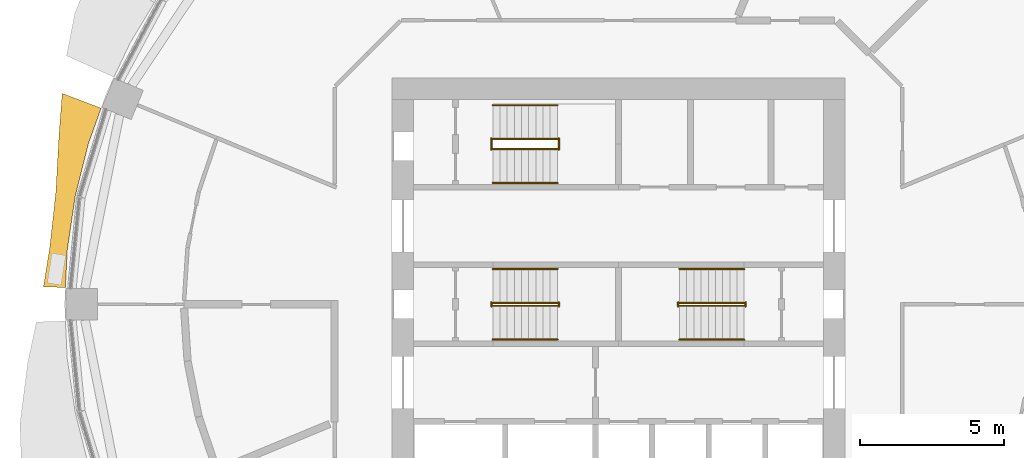
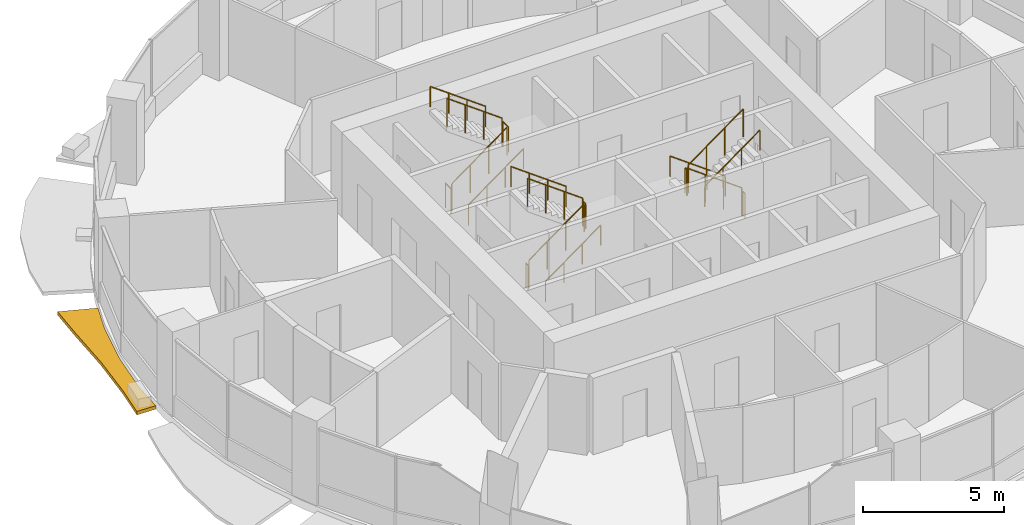
# One storey, part 12 of 14: 18 railings, 1 shading device.
"""IFC4 building model written with IfcOpenShell, lengths in metres."""

from ifc_helpers import new_model, si_unit, direction, frame, origin, origin_2d, place, context, subcontext, project, spatial, polyline, circle, outline, extrude, material, type_object, element, save


model = new_model("IFC4")

# Units and contexts
model_context = context("Model", 3, precision=1e-05, world=origin(), true_north=direction((0.0, 1.0)))
body_context = subcontext(model_context, "Body", "Model", "MODEL_VIEW")
ifc_project = project(units=[si_unit("LENGTHUNIT", "METRE"), si_unit("AREAUNIT", "SQUARE_METRE"), si_unit("VOLUMEUNIT", "CUBIC_METRE"), si_unit("PLANEANGLEUNIT", "RADIAN"), si_unit("MASSUNIT", "GRAM", prefix="KILO")], contexts=[model_context])

# Site, building, storey
site_placement = place(None, origin())
site = spatial("IfcSite", under=ifc_project, at=site_placement, CompositionType="ELEMENT")
building_placement = place(site_placement, origin())
building = spatial("IfcBuilding", under=site, at=building_placement, Name="Polderwave Tower", CompositionType="ELEMENT")
storey_placement = place(building_placement, frame((0.0, 0.0, 98.300048828125)))
storey = spatial("IfcBuildingStorey", under=building, at=storey_placement, Name="L25", CompositionType="ELEMENT", Elevation=98.300048828125)

# Railings
ifc_material_1 = material(Name="Stainless steel", Category="steel")
railing_type_1 = type_object("IfcRailingType", Name="Stair guard 1100", PredefinedType="GUARDRAIL", material=ifc_material_1)
railing_1_placement = place(storey_placement, frame((-4.3740234375, -0.051025390625, 0.062255859375)))
element("IfcRailing", 1, at=railing_1_placement, inside=storey, type_object=railing_type_1, Name="L25 ST-A stair guard 1", PredefinedType="GUARDRAIL", context=body_context, shape_type="SweptSolid", body=[
    extrude(circle(Radius=0.02392578125, at=origin_2d()), frame((0.0, 0.0, 1.1962890625), z_axis=(0.807673635365, 0.0, 0.58962979804), x_axis=(0.0, 1.0, 0.0)), (0.0, 0.0, 1.0), 2.785888671875),
    extrude(circle(Radius=0.02392578125, at=origin_2d()), origin(), (0.0, 0.0, 1.0), 1.172119140625),
    extrude(circle(Radius=0.02392578125, at=origin_2d()), frame((0.75, 0.0, 0.547607421875)), (0.0, 0.0, 1.0), 1.172119140625),
    extrude(circle(Radius=0.02392578125, at=origin_2d()), frame((1.5, 0.0, 1.094970703125)), (0.0, 0.0, 1.0), 1.172119140625),
    extrude(circle(Radius=0.02392578125, at=origin_2d()), frame((2.25, 0.0, 1.642578125)), (0.0, 0.0, 1.0), 1.172119140625),
])
railing_2_placement = place(storey_placement, frame((-2.073974609375, -0.074951171875, 1.824951171875)))
element("IfcRailing", 2, at=railing_2_placement, inside=storey, type_object=railing_type_1, Name="L25 ST-A stair guard 2", PredefinedType="GUARDRAIL", context=body_context, shape_type="SweptSolid", body=[
    extrude(circle(Radius=0.02392578125, at=origin_2d()), frame((0.0, 0.0, 1.076171875), z_axis=(0.0, 1.0, 0.0), x_axis=(-1.0, 0.0, 0.0)), (0.0, 0.0, 1.0), 0.14990234375),
    extrude(circle(Radius=0.02099609375, at=origin_2d()), origin(), (0.0, 0.0, 1.0), 1.052001953125),
    extrude(circle(Radius=0.02099609375, at=origin_2d()), frame((0.0, 0.14990234375, 0.0)), (0.0, 0.0, 1.0), 1.052001953125),
])
railing_3_placement = place(storey_placement, frame((-2.1240234375, 0.051025390625, 1.887451171875)))
element("IfcRailing", 3, at=railing_3_placement, inside=storey, type_object=railing_type_1, Name="L25 ST-A stair guard 3", PredefinedType="GUARDRAIL", context=body_context, shape_type="SweptSolid", body=[
    extrude(circle(Radius=0.02392578125, at=origin_2d()), frame((0.0, 0.0, 1.1962890625), z_axis=(-0.807715371301, 0.0, 0.589572623995), x_axis=(0.0, -1.0, 0.0)), (0.0, 0.0, 1.0), 2.78564453125),
    extrude(circle(Radius=0.02392578125, at=origin_2d()), origin(), (0.0, 0.0, 1.0), 1.172119140625),
    extrude(circle(Radius=0.02392578125, at=origin_2d()), frame((-0.75, 0.0, 0.54736328125)), (0.0, 0.0, 1.0), 1.172119140625),
    extrude(circle(Radius=0.02392578125, at=origin_2d()), frame((-1.5, 0.0, 1.094970703125)), (0.0, 0.0, 1.0), 1.172119140625),
    extrude(circle(Radius=0.02392578125, at=origin_2d()), frame((-2.25, 0.0, 1.642333984375)), (0.0, 0.0, 1.0), 1.172119140625),
])
railing_4_placement = place(storey_placement, frame((-4.424072265625, -0.074951171875, 0.0)))
element("IfcRailing", 4, at=railing_4_placement, inside=storey, type_object=railing_type_1, Name="L25 ST-A stair guard 4", PredefinedType="GUARDRAIL", context=body_context, shape_type="SweptSolid", body=[
    extrude(circle(Radius=0.02392578125, at=origin_2d()), frame((0.0, 0.0, 1.076171875), z_axis=(0.0, 1.0, 0.0), x_axis=(-1.0, 0.0, 0.0)), (0.0, 0.0, 1.0), 0.14990234375),
    extrude(circle(Radius=0.02099609375, at=origin_2d()), origin(), (0.0, 0.0, 1.0), 1.052001953125),
    extrude(circle(Radius=0.02099609375, at=origin_2d()), frame((0.0, 0.14990234375, 0.0)), (0.0, 0.0, 1.0), 1.052001953125),
])
railing_5_placement = place(storey_placement, frame((4.3740234375, 0.051025390625, 0.062255859375)))
element("IfcRailing", 5, at=railing_5_placement, inside=storey, type_object=railing_type_1, Name="L25 ST-B stair guard 1", PredefinedType="GUARDRAIL", context=body_context, shape_type="SweptSolid", body=[
    extrude(circle(Radius=0.02392578125, at=origin_2d()), frame((0.0, 0.0, 1.1962890625), z_axis=(-0.807673635365, 0.0, 0.58962979804), x_axis=(0.0, -1.0, 0.0)), (0.0, 0.0, 1.0), 2.785888671875),
    extrude(circle(Radius=0.02392578125, at=origin_2d()), origin(), (0.0, 0.0, 1.0), 1.172119140625),
    extrude(circle(Radius=0.02392578125, at=origin_2d()), frame((-0.75, 0.0, 0.547607421875)), (0.0, 0.0, 1.0), 1.172119140625),
    extrude(circle(Radius=0.02392578125, at=origin_2d()), frame((-1.5, 0.0, 1.094970703125)), (0.0, 0.0, 1.0), 1.172119140625),
    extrude(circle(Radius=0.02392578125, at=origin_2d()), frame((-2.25, 0.0, 1.642578125)), (0.0, 0.0, 1.0), 1.172119140625),
])
railing_6_placement = place(storey_placement, frame((2.073974609375, 0.074951171875, 1.824951171875)))
element("IfcRailing", 6, at=railing_6_placement, inside=storey, type_object=railing_type_1, Name="L25 ST-B stair guard 2", PredefinedType="GUARDRAIL", context=body_context, shape_type="SweptSolid", body=[
    extrude(circle(Radius=0.02392578125, at=origin_2d()), frame((0.0, 0.0, 1.076171875), z_axis=(0.0, -1.0, 0.0), x_axis=(1.0, 0.0, 0.0)), (0.0, 0.0, 1.0), 0.14990234375),
    extrude(circle(Radius=0.02099609375, at=origin_2d()), origin(), (0.0, 0.0, 1.0), 1.052001953125),
    extrude(circle(Radius=0.02099609375, at=origin_2d()), frame((0.0, -0.14990234375, 0.0)), (0.0, 0.0, 1.0), 1.052001953125),
])
railing_7_placement = place(storey_placement, frame((2.1240234375, -0.051025390625, 1.887451171875)))
element("IfcRailing", 7, at=railing_7_placement, inside=storey, type_object=railing_type_1, Name="L25 ST-B stair guard 3", PredefinedType="GUARDRAIL", context=body_context, shape_type="SweptSolid", body=[
    extrude(circle(Radius=0.02392578125, at=origin_2d()), frame((0.0, 0.0, 1.1962890625), z_axis=(0.807715371301, 0.0, 0.589572623995), x_axis=(0.0, 1.0, 0.0)), (0.0, 0.0, 1.0), 2.78564453125),
    extrude(circle(Radius=0.02392578125, at=origin_2d()), origin(), (0.0, 0.0, 1.0), 1.172119140625),
    extrude(circle(Radius=0.02392578125, at=origin_2d()), frame((0.75, 0.0, 0.54736328125)), (0.0, 0.0, 1.0), 1.172119140625),
    extrude(circle(Radius=0.02392578125, at=origin_2d()), frame((1.5, 0.0, 1.094970703125)), (0.0, 0.0, 1.0), 1.172119140625),
    extrude(circle(Radius=0.02392578125, at=origin_2d()), frame((2.25, 0.0, 1.642333984375)), (0.0, 0.0, 1.0), 1.172119140625),
])
railing_8_placement = place(storey_placement, frame((4.424072265625, 0.074951171875, 0.0)))
element("IfcRailing", 8, at=railing_8_placement, inside=storey, type_object=railing_type_1, Name="L25 ST-B stair guard 4", PredefinedType="GUARDRAIL", context=body_context, shape_type="SweptSolid", body=[
    extrude(circle(Radius=0.02392578125, at=origin_2d()), frame((0.0, 0.0, 1.076171875), z_axis=(0.0, -1.0, 0.0), x_axis=(1.0, 0.0, 0.0)), (0.0, 0.0, 1.0), 0.14990234375),
    extrude(circle(Radius=0.02099609375, at=origin_2d()), origin(), (0.0, 0.0, 1.0), 1.052001953125),
    extrude(circle(Radius=0.02099609375, at=origin_2d()), frame((0.0, -0.14990234375, 0.0)), (0.0, 0.0, 1.0), 1.052001953125),
])
railing_9_placement = place(storey_placement, frame((-4.3740234375, 5.39794921875, 0.062255859375)))
element("IfcRailing", 9, at=railing_9_placement, inside=storey, type_object=railing_type_1, Name="L25 ST-C stair guard 1", PredefinedType="GUARDRAIL", context=body_context, shape_type="SweptSolid", body=[
    extrude(circle(Radius=0.02392578125, at=origin_2d()), frame((0.0, 0.0, 1.1962890625), z_axis=(0.807673635365, 0.0, 0.58962979804), x_axis=(0.0, 1.0, 0.0)), (0.0, 0.0, 1.0), 2.785888671875),
    extrude(circle(Radius=0.02392578125, at=origin_2d()), origin(), (0.0, 0.0, 1.0), 1.172119140625),
    extrude(circle(Radius=0.02392578125, at=origin_2d()), frame((0.75, 0.0, 0.547607421875)), (0.0, 0.0, 1.0), 1.172119140625),
    extrude(circle(Radius=0.02392578125, at=origin_2d()), frame((1.5, 0.0, 1.094970703125)), (0.0, 0.0, 1.0), 1.172119140625),
    extrude(circle(Radius=0.02392578125, at=origin_2d()), frame((2.25, 0.0, 1.642578125)), (0.0, 0.0, 1.0), 1.172119140625),
])
railing_10_placement = place(storey_placement, frame((-2.073974609375, 5.3740234375, 1.824951171875)))
element("IfcRailing", 10, at=railing_10_placement, inside=storey, type_object=railing_type_1, Name="L25 ST-C stair guard 2", PredefinedType="GUARDRAIL", context=body_context, shape_type="SweptSolid", body=[
    extrude(circle(Radius=0.02392578125, at=origin_2d()), frame((0.0, 0.0, 1.076171875), z_axis=(0.0, 1.0, 0.0), x_axis=(-1.0, 0.0, 0.0)), (0.0, 0.0, 1.0), 0.39990234375),
    extrude(circle(Radius=0.02099609375, at=origin_2d()), origin(), (0.0, 0.0, 1.0), 1.052001953125),
    extrude(circle(Radius=0.02099609375, at=origin_2d()), frame((0.0, 0.39990234375, 0.0)), (0.0, 0.0, 1.0), 1.052001953125),
])
railing_11_placement = place(storey_placement, frame((-2.1240234375, 5.75, 1.887451171875)))
element("IfcRailing", 11, at=railing_11_placement, inside=storey, type_object=railing_type_1, Name="L25 ST-C stair guard 3", PredefinedType="GUARDRAIL", context=body_context, shape_type="SweptSolid", body=[
    extrude(circle(Radius=0.02392578125, at=origin_2d()), frame((0.0, 0.0, 1.1962890625), z_axis=(-0.807715371301, 0.0, 0.589572623995), x_axis=(0.0, -1.0, 0.0)), (0.0, 0.0, 1.0), 2.78564453125),
    extrude(circle(Radius=0.02392578125, at=origin_2d()), origin(), (0.0, 0.0, 1.0), 1.172119140625),
    extrude(circle(Radius=0.02392578125, at=origin_2d()), frame((-0.75, 0.0, 0.54736328125)), (0.0, 0.0, 1.0), 1.172119140625),
    extrude(circle(Radius=0.02392578125, at=origin_2d()), frame((-1.5, 0.0, 1.094970703125)), (0.0, 0.0, 1.0), 1.172119140625),
    extrude(circle(Radius=0.02392578125, at=origin_2d()), frame((-2.25, 0.0, 1.642333984375)), (0.0, 0.0, 1.0), 1.172119140625),
])
railing_12_placement = place(storey_placement, frame((-4.424072265625, 5.3740234375, 0.0)))
element("IfcRailing", 12, at=railing_12_placement, inside=storey, type_object=railing_type_1, Name="L25 ST-C stair guard 4", PredefinedType="GUARDRAIL", context=body_context, shape_type="SweptSolid", body=[
    extrude(circle(Radius=0.02392578125, at=origin_2d()), frame((0.0, 0.0, 1.076171875), z_axis=(0.0, 1.0, 0.0), x_axis=(-1.0, 0.0, 0.0)), (0.0, 0.0, 1.0), 0.39990234375),
    extrude(circle(Radius=0.02099609375, at=origin_2d()), origin(), (0.0, 0.0, 1.0), 1.052001953125),
    extrude(circle(Radius=0.02099609375, at=origin_2d()), frame((0.0, 0.39990234375, 0.0)), (0.0, 0.0, 1.0), 1.052001953125),
])
railing_type_2 = type_object("IfcRailingType", Name="Stair handrail 900", PredefinedType="HANDRAIL", material=ifc_material_1)
railing_13_placement = place(storey_placement, frame((-4.3740234375, -1.22509765625, 0.182373046875)))
element("IfcRailing", 13, at=railing_13_placement, inside=storey, type_object=railing_type_2, Name="L25 ST-A stair handrail 1", PredefinedType="HANDRAIL", context=body_context, shape_type="SweptSolid", body=[
    extrude(circle(Radius=0.02392578125, at=origin_2d()), frame((0.0, 0.0, 0.8759765625), z_axis=(0.807673635365, 0.0, 0.58962979804), x_axis=(0.0, 1.0, 0.0)), (0.0, 0.0, 1.0), 2.785888671875),
    extrude(circle(Radius=0.02099609375, at=origin_2d()), origin(), (0.0, 0.0, 1.0), 0.851806640625),
    extrude(circle(Radius=0.02099609375, at=origin_2d()), frame((0.75, 0.0, 0.547607421875)), (0.0, 0.0, 1.0), 0.851806640625),
    extrude(circle(Radius=0.02099609375, at=origin_2d()), frame((1.5, 0.0, 1.094970703125)), (0.0, 0.0, 1.0), 0.851806640625),
    extrude(circle(Radius=0.02099609375, at=origin_2d()), frame((2.25, 0.0, 1.642578125)), (0.0, 0.0, 1.0), 0.851806640625),
])
railing_14_placement = place(storey_placement, frame((-2.1240234375, 1.22509765625, 2.007568359375)))
element("IfcRailing", 14, at=railing_14_placement, inside=storey, type_object=railing_type_2, Name="L25 ST-A stair handrail 2", PredefinedType="HANDRAIL", context=body_context, shape_type="SweptSolid", body=[
    extrude(circle(Radius=0.02392578125, at=origin_2d()), frame((0.0, 0.0, 0.8759765625), z_axis=(-0.807715371301, 0.0, 0.589572623995), x_axis=(0.0, -1.0, 0.0)), (0.0, 0.0, 1.0), 2.78564453125),
    extrude(circle(Radius=0.02099609375, at=origin_2d()), origin(), (0.0, 0.0, 1.0), 0.851806640625),
    extrude(circle(Radius=0.02099609375, at=origin_2d()), frame((-0.75, 0.0, 0.54736328125)), (0.0, 0.0, 1.0), 0.851806640625),
    extrude(circle(Radius=0.02099609375, at=origin_2d()), frame((-1.5, 0.0, 1.094970703125)), (0.0, 0.0, 1.0), 0.851806640625),
    extrude(circle(Radius=0.02099609375, at=origin_2d()), frame((-2.25, 0.0, 1.642333984375)), (0.0, 0.0, 1.0), 0.851806640625),
])
railing_15_placement = place(storey_placement, frame((4.3740234375, 1.22509765625, 0.182373046875)))
element("IfcRailing", 15, at=railing_15_placement, inside=storey, type_object=railing_type_2, Name="L25 ST-B stair handrail 1", PredefinedType="HANDRAIL", context=body_context, shape_type="SweptSolid", body=[
    extrude(circle(Radius=0.02392578125, at=origin_2d()), frame((0.0, 0.0, 0.8759765625), z_axis=(-0.807673635365, 0.0, 0.58962979804), x_axis=(0.0, -1.0, 0.0)), (0.0, 0.0, 1.0), 2.785888671875),
    extrude(circle(Radius=0.02099609375, at=origin_2d()), origin(), (0.0, 0.0, 1.0), 0.851806640625),
    extrude(circle(Radius=0.02099609375, at=origin_2d()), frame((-0.75, 0.0, 0.547607421875)), (0.0, 0.0, 1.0), 0.851806640625),
    extrude(circle(Radius=0.02099609375, at=origin_2d()), frame((-1.5, 0.0, 1.094970703125)), (0.0, 0.0, 1.0), 0.851806640625),
    extrude(circle(Radius=0.02099609375, at=origin_2d()), frame((-2.25, 0.0, 1.642578125)), (0.0, 0.0, 1.0), 0.851806640625),
])
railing_16_placement = place(storey_placement, frame((2.1240234375, -1.22509765625, 2.007568359375)))
element("IfcRailing", 16, at=railing_16_placement, inside=storey, type_object=railing_type_2, Name="L25 ST-B stair handrail 2", PredefinedType="HANDRAIL", context=body_context, shape_type="SweptSolid", body=[
    extrude(circle(Radius=0.02392578125, at=origin_2d()), frame((0.0, 0.0, 0.8759765625), z_axis=(0.807715371301, 0.0, 0.589572623995), x_axis=(0.0, 1.0, 0.0)), (0.0, 0.0, 1.0), 2.78564453125),
    extrude(circle(Radius=0.02099609375, at=origin_2d()), origin(), (0.0, 0.0, 1.0), 0.851806640625),
    extrude(circle(Radius=0.02099609375, at=origin_2d()), frame((0.75, 0.0, 0.54736328125)), (0.0, 0.0, 1.0), 0.851806640625),
    extrude(circle(Radius=0.02099609375, at=origin_2d()), frame((1.5, 0.0, 1.094970703125)), (0.0, 0.0, 1.0), 0.851806640625),
    extrude(circle(Radius=0.02099609375, at=origin_2d()), frame((2.25, 0.0, 1.642333984375)), (0.0, 0.0, 1.0), 0.851806640625),
])
railing_17_placement = place(storey_placement, frame((-4.3740234375, 4.22412109375, 0.182373046875)))
element("IfcRailing", 17, at=railing_17_placement, inside=storey, type_object=railing_type_2, Name="L25 ST-C stair handrail 1", PredefinedType="HANDRAIL", context=body_context, shape_type="SweptSolid", body=[
    extrude(circle(Radius=0.02392578125, at=origin_2d()), frame((0.0, 0.0, 0.8759765625), z_axis=(0.807673635365, 0.0, 0.58962979804), x_axis=(0.0, 1.0, 0.0)), (0.0, 0.0, 1.0), 2.785888671875),
    extrude(circle(Radius=0.02099609375, at=origin_2d()), origin(), (0.0, 0.0, 1.0), 0.851806640625),
    extrude(circle(Radius=0.02099609375, at=origin_2d()), frame((0.75, 0.0, 0.547607421875)), (0.0, 0.0, 1.0), 0.851806640625),
    extrude(circle(Radius=0.02099609375, at=origin_2d()), frame((1.5, 0.0, 1.094970703125)), (0.0, 0.0, 1.0), 0.851806640625),
    extrude(circle(Radius=0.02099609375, at=origin_2d()), frame((2.25, 0.0, 1.642578125)), (0.0, 0.0, 1.0), 0.851806640625),
])
railing_18_placement = place(storey_placement, frame((-2.1240234375, 6.924072265625, 2.007568359375)))
element("IfcRailing", 18, at=railing_18_placement, inside=storey, type_object=railing_type_2, Name="L25 ST-C stair handrail 2", PredefinedType="HANDRAIL", context=body_context, shape_type="SweptSolid", body=[
    extrude(circle(Radius=0.02392578125, at=origin_2d()), frame((0.0, 0.0, 0.8759765625), z_axis=(-0.807715371301, 0.0, 0.589572623995), x_axis=(0.0, -1.0, 0.0)), (0.0, 0.0, 1.0), 2.78564453125),
    extrude(circle(Radius=0.02099609375, at=origin_2d()), origin(), (0.0, 0.0, 1.0), 0.851806640625),
    extrude(circle(Radius=0.02099609375, at=origin_2d()), frame((-0.75, 0.0, 0.54736328125)), (0.0, 0.0, 1.0), 0.851806640625),
    extrude(circle(Radius=0.02099609375, at=origin_2d()), frame((-1.5, 0.0, 1.094970703125)), (0.0, 0.0, 1.0), 0.851806640625),
    extrude(circle(Radius=0.02099609375, at=origin_2d()), frame((-2.25, 0.0, 1.642333984375)), (0.0, 0.0, 1.0), 0.851806640625),
])

# Shading device
ifc_material_2 = material(Name="Terracotta", Category="masonry")
shading_device_type = type_object("IfcShadingDeviceType", Name="Terracotta sunshade band", PredefinedType="USERDEFINED", material=ifc_material_2)
shading_device_placement = place(storey_placement, frame((0.0, 0.0, -0.35009765625)))
element("IfcShadingDevice", 19, at=shading_device_placement, inside=storey, type_object=shading_device_type, Name="Sunshade band L25 8", ObjectType="SUNSHADE", PredefinedType="USERDEFINED", context=body_context, shape_type="SweptSolid", body=[
    extrude(outline(polyline([(-18.000244140625, 6.82373046875), (-18.440185546875, 5.59375), (-18.899658203125, 3.759521484375), (-19.17724609375, 1.888916015625), (-19.2412109375, 0.583984375), (-20.002685546875, 0.607177734375), (-19.78857421875, 1.948974609375), (-19.5732421875, 3.893310546875), (-19.461181640625, 5.903564453125), (-19.3515625, 7.336181640625), (-18.000244140625, 6.82373046875)])), origin(), (0.0, 0.0, 1.0), 0.150146484375),
])

save(model, "model.ifc")
